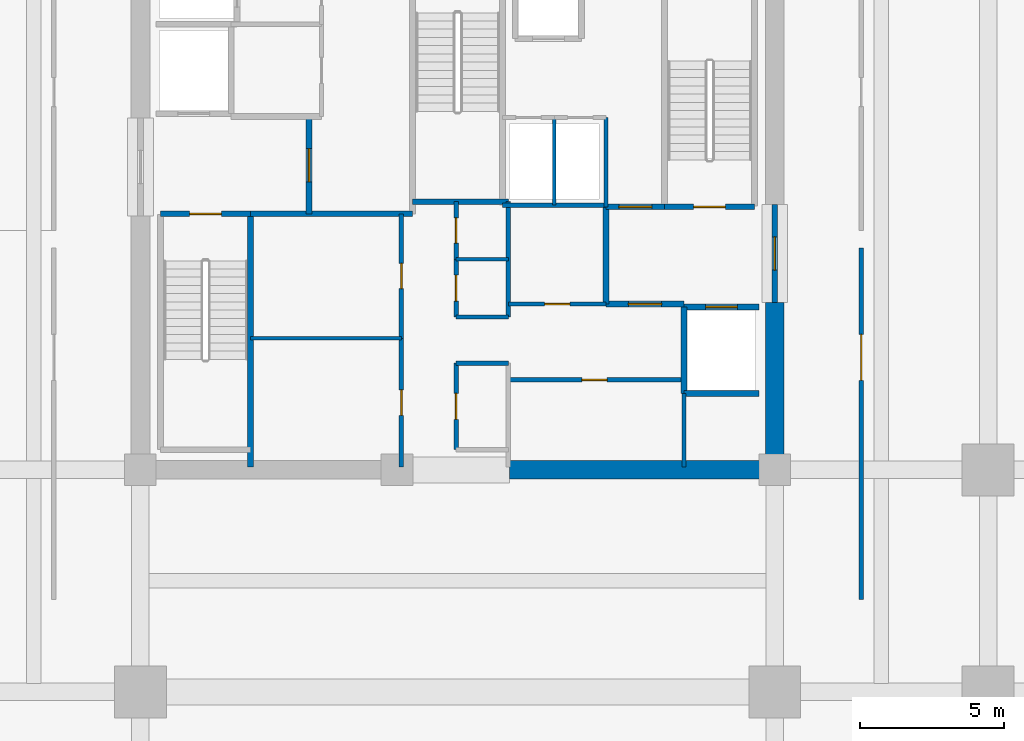
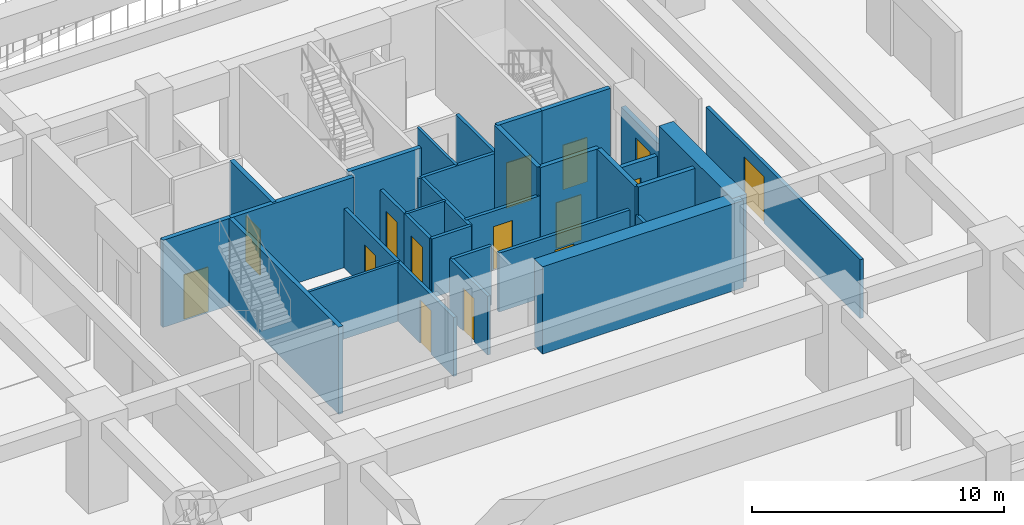
# One storey, part 8 of 16: 32 walls, 15 doors, 15 openings.
"""IFC4 building model written with IfcOpenShell, lengths in metres."""

from ifc_helpers import new_model, si_unit, direction, frame, frame_2d, origin, place, context, subcontext, project, spatial, rectangle, extrude, material, layer, layer_set, type_object, element, fill, save


model = new_model("IFC4")

# Units and contexts
model_context = context("Model", 3, precision=1e-05, world=origin(), true_north=direction((0.0, 1.0)))
body_context = subcontext(model_context, "Body", "Model", "MODEL_VIEW")
ifc_project = project(units=[si_unit("LENGTHUNIT", "METRE"), si_unit("AREAUNIT", "SQUARE_METRE"), si_unit("VOLUMEUNIT", "CUBIC_METRE"), si_unit("PLANEANGLEUNIT", "RADIAN"), si_unit("MASSUNIT", "GRAM", prefix="KILO")], contexts=[model_context])

# Site, building, storey
site_placement = place(None, origin())
site = spatial("IfcSite", under=ifc_project, at=site_placement, CompositionType="ELEMENT")
building_placement = place(site_placement, origin())
building = spatial("IfcBuilding", under=site, at=building_placement, Name="Kovane Verandah Tower", CompositionType="ELEMENT")
storey_placement = place(building_placement, frame((0.0, 0.0, -4.5)))
storey = spatial("IfcBuildingStorey", under=building, at=storey_placement, Name="B1", CompositionType="ELEMENT", Elevation=-4.5)

# Walls
ifc_material_1 = material(Name="Fire-Rated Gypsum Stud Partition", Category="gypsum")
ifc_layer_1 = layer(ifc_material_1, 0.14990234375)
ifc_layer_set_1 = layer_set([ifc_layer_1], Name="Fire-Rated Gypsum Stud Partition")
wall_type_1 = type_object("IfcWallType", Name="WL-COR-150", PredefinedType="PARTITIONING", material=ifc_layer_set_1)
for number, where, z_axis, x_axis, name in (
    (1, (39.949951171875, 22.199951171875, 0.0), (0.0, 0.0, 1.0), (1.0, 0.0, 0.0), "B1 Core Cross-Passage South Wall"),
    (2, (39.949951171875, 23.800048828125, 0.0), (0.0, 0.0, 1.0), (1.0, 0.0, 0.0), "B1 Core Cross-Passage North Wall"),
):
    element("IfcWall", number, at=place(storey_placement, frame(where, z_axis=z_axis, x_axis=x_axis)), inside=storey, type_object=wall_type_1, Name=name, PredefinedType="PARTITIONING", context=body_context, shape_type="SweptSolid", body=[
        extrude(rectangle(XDim=1.81005859375, YDim=0.14990234375, at=frame_2d((0.905029296875, 0.0))), origin(), (0.0, 0.0, 1.0), 2.85009765625),
    ])
wall_1_placement = place(storey_placement, frame((41.760009765625, 23.800048828125, 0.0), z_axis=(0.0, 0.0, 1.0), x_axis=(0.0, 1.0, 0.0)))
element("IfcWall", 3, at=wall_1_placement, inside=storey, type_object=wall_type_1, Name="B1 Central Core Strip Upper East Wall", PredefinedType="PARTITIONING", context=body_context, shape_type="SweptSolid", body=[
    extrude(rectangle(XDim=4.0, YDim=0.14990234375, at=frame_2d((2.0, 0.0))), origin(), (0.0, 0.0, 1.0), 2.85009765625),
])

# Wall, opening, door
wall_2_placement = place(storey_placement, frame((39.949951171875, 19.199951171875, 0.0), z_axis=(0.0, 0.0, 1.0), x_axis=(0.0, 1.0, 0.0)))
wall_2 = element("IfcWall", 4, at=wall_2_placement, inside=storey, type_object=wall_type_1, Name="B1 Male Toilet Partition", PredefinedType="PARTITIONING", context=body_context, shape_type="SweptSolid", body=[
    extrude(rectangle(XDim=3.0, YDim=0.14990234375, at=frame_2d((1.5, 0.0))), origin(), (0.0, 0.0, 1.0), 2.85009765625),
])
opening_1_placement = place(wall_2_placement, frame((1.050048828125, 0.0, 0.0)))
opening_1 = element("IfcOpeningElement", 5, at=opening_1_placement, cuts=wall_2, Name="Opening DR-B1-025", PredefinedType="OPENING", context=body_context, shape_type="SweptSolid", body=[
    extrude(rectangle(XDim=0.89990234375, YDim=2.10009765625, at=frame_2d((0.449951171875, 1.050048828125))), frame((0.0, 0.074951171875, 0.0), z_axis=(0.0, -1.0, 0.0), x_axis=(1.0, 0.0, 0.0)), (0.0, 0.0, 1.0), 0.14990234375),
])
ifc_material_2 = material(Name="Moisture-Resistant Laminate Washroom Door", Category="wood")
door_type_1 = type_object("IfcDoorType", Name="DR-WC-900", OperationType="SINGLE_SWING_LEFT", PredefinedType="DOOR", material=ifc_material_2)
door_1_placement = place(opening_1_placement, origin())
door_1 = element("IfcDoor", 6, at=door_1_placement, inside=storey, type_object=door_type_1, Name="B1 Male Toilet Door", OperationType="SINGLE_SWING_RIGHT", OverallHeight=2.10009765625, OverallWidth=0.89990234375, PredefinedType="DOOR", context=body_context, shape_type="SweptSolid", body=[
    extrude(rectangle(XDim=0.89990234375, YDim=2.10009765625, at=frame_2d((0.449951171875, 1.050048828125))), frame((0.0, 0.02490234375, 0.0), z_axis=(0.0, -1.0, 0.0), x_axis=(1.0, 0.0, 0.0)), (0.0, 0.0, 1.0), 0.050048828125),
])
fill(opening_1, door_1)

wall_3_placement = place(storey_placement, frame((39.949951171875, 23.800048828125, 0.0), z_axis=(0.0, 0.0, 1.0), x_axis=(0.0, 1.0, 0.0)))
wall_3 = element("IfcWall", 7, at=wall_3_placement, inside=storey, type_object=wall_type_1, Name="B1 Female Toilet Partition", PredefinedType="PARTITIONING", context=body_context, shape_type="SweptSolid", body=[
    extrude(rectangle(XDim=2.0, YDim=0.14990234375, at=frame_2d((1.0, 0.0))), origin(), (0.0, 0.0, 1.0), 2.85009765625),
])
opening_2_placement = place(wall_3_placement, frame((0.550048828125, 0.0, 0.0)))
opening_2 = element("IfcOpeningElement", 8, at=opening_2_placement, cuts=wall_3, Name="Opening DR-B1-024", PredefinedType="OPENING", context=body_context, shape_type="SweptSolid", body=[
    extrude(rectangle(XDim=0.89990234375, YDim=2.10009765625, at=frame_2d((0.449951171875, 1.050048828125))), frame((0.0, 0.074951171875, 0.0), z_axis=(0.0, -1.0, 0.0), x_axis=(1.0, 0.0, 0.0)), (0.0, 0.0, 1.0), 0.14990234375),
])
door_2_placement = place(opening_2_placement, origin())
door_2 = element("IfcDoor", 9, at=door_2_placement, inside=storey, type_object=door_type_1, Name="B1 Female Toilet Door", OperationType="SINGLE_SWING_LEFT", OverallHeight=2.10009765625, OverallWidth=0.89990234375, PredefinedType="DOOR", context=body_context, shape_type="SweptSolid", body=[
    extrude(rectangle(XDim=0.89990234375, YDim=2.10009765625, at=frame_2d((0.449951171875, 1.050048828125))), frame((0.0, 0.02490234375, 0.0), z_axis=(0.0, -1.0, 0.0), x_axis=(1.0, 0.0, 0.0)), (0.0, 0.0, 1.0), 0.050048828125),
])
fill(opening_2, door_2)

wall_4_placement = place(storey_placement, frame((39.949951171875, 25.800048828125, 0.0), z_axis=(0.0, 0.0, 1.0), x_axis=(0.0, 1.0, 0.0)))
wall_4 = element("IfcWall", 10, at=wall_4_placement, inside=storey, type_object=wall_type_1, Name="B1 Electrical Riser Room Partition", PredefinedType="PARTITIONING", context=body_context, shape_type="SweptSolid", body=[
    extrude(rectangle(XDim=2.0, YDim=0.14990234375, at=frame_2d((1.0, 0.0))), origin(), (0.0, 0.0, 1.0), 2.85009765625),
])
opening_3_placement = place(wall_4_placement, frame((0.56005859375, 0.0, 0.0)))
opening_3 = element("IfcOpeningElement", 11, at=opening_3_placement, cuts=wall_4, Name="Opening DR-B1-022", PredefinedType="OPENING", context=body_context, shape_type="SweptSolid", body=[
    extrude(rectangle(XDim=0.8798828125, YDim=2.10009765625, at=frame_2d((0.43994140625, 1.050048828125))), frame((0.0, 0.074951171875, 0.0), z_axis=(0.0, -1.0, 0.0), x_axis=(1.0, 0.0, 0.0)), (0.0, 0.0, 1.0), 0.14990234375),
])
ifc_material_3 = material(Name="Fire-Rated Steel Riser Access Door", Category="steel")
door_type_2 = type_object("IfcDoorType", Name="DR-RISER-880", OperationType="SINGLE_SWING_LEFT", PredefinedType="DOOR", material=ifc_material_3)
door_3_placement = place(opening_3_placement, origin())
door_3 = element("IfcDoor", 12, at=door_3_placement, inside=storey, type_object=door_type_2, Name="B1 Electrical Riser Room Door", OperationType="SINGLE_SWING_RIGHT", OverallHeight=2.10009765625, OverallWidth=0.8798828125, PredefinedType="DOOR", context=body_context, shape_type="SweptSolid", body=[
    extrude(rectangle(XDim=0.8798828125, YDim=2.10009765625, at=frame_2d((0.43994140625, 1.050048828125))), frame((0.0, 0.02490234375, 0.0), z_axis=(0.0, -1.0, 0.0), x_axis=(1.0, 0.0, 0.0)), (0.0, 0.0, 1.0), 0.050048828125),
])
fill(opening_3, door_3)

wall_5_placement = place(storey_placement, frame((38.050048828125, 18.60009765625, 0.0), z_axis=(0.0, 0.0, 1.0), x_axis=(0.0, 1.0, 0.0)))
wall_5 = element("IfcWall", 13, at=wall_5_placement, inside=storey, type_object=wall_type_1, Name="B1 Core Mechanical Fan Plant Room Partition", PredefinedType="PARTITIONING", context=body_context, shape_type="SweptSolid", body=[
    extrude(rectangle(XDim=4.4599609375, YDim=0.14990234375, at=frame_2d((2.22998046875, 0.0))), origin(), (0.0, 0.0, 1.0), 2.85009765625),
])
opening_4_placement = place(wall_5_placement, frame((1.7900390625, 0.0, 0.0)))
opening_4 = element("IfcOpeningElement", 14, at=opening_4_placement, cuts=wall_5, Name="Opening DR-B1-013", PredefinedType="OPENING", context=body_context, shape_type="SweptSolid", body=[
    extrude(rectangle(XDim=0.8798828125, YDim=2.10009765625, at=frame_2d((0.43994140625, 1.050048828125))), frame((0.0, 0.074951171875, 0.0), z_axis=(0.0, -1.0, 0.0), x_axis=(1.0, 0.0, 0.0)), (0.0, 0.0, 1.0), 0.14990234375),
])
door_4_placement = place(opening_4_placement, origin())
door_4 = element("IfcDoor", 15, at=door_4_placement, inside=storey, type_object=door_type_2, Name="B1 Core Mechanical Fan Plant Room Door", OperationType="SINGLE_SWING_LEFT", OverallHeight=2.10009765625, OverallWidth=0.8798828125, PredefinedType="DOOR", context=body_context, shape_type="SweptSolid", body=[
    extrude(rectangle(XDim=0.8798828125, YDim=2.10009765625, at=frame_2d((0.43994140625, 1.050048828125))), frame((0.0, 0.02490234375, 0.0), z_axis=(0.0, -1.0, 0.0), x_axis=(1.0, 0.0, 0.0)), (0.0, 0.0, 1.0), 0.050048828125),
])
fill(opening_4, door_4)

wall_6_placement = place(storey_placement, frame((38.050048828125, 23.06005859375, 0.0), z_axis=(0.0, 0.0, 1.0), x_axis=(0.0, 1.0, 0.0)))
wall_6 = element("IfcWall", 16, at=wall_6_placement, inside=storey, type_object=wall_type_1, Name="B1 Core Electrical Switchgear Plant Room Partition", PredefinedType="PARTITIONING", context=body_context, shape_type="SweptSolid", body=[
    extrude(rectangle(XDim=4.31982421875, YDim=0.14990234375, at=frame_2d((2.159912109375, 0.0))), origin(), (0.0, 0.0, 1.0), 2.85009765625),
])
opening_5_placement = place(wall_6_placement, frame((1.719970703125, 0.0, 0.0)))
opening_5 = element("IfcOpeningElement", 17, at=opening_5_placement, cuts=wall_6, Name="Opening DR-B1-014", PredefinedType="OPENING", context=body_context, shape_type="SweptSolid", body=[
    extrude(rectangle(XDim=0.8798828125, YDim=2.10009765625, at=frame_2d((0.43994140625, 1.050048828125))), frame((0.0, 0.074951171875, 0.0), z_axis=(0.0, -1.0, 0.0), x_axis=(1.0, 0.0, 0.0)), (0.0, 0.0, 1.0), 0.14990234375),
])
door_5_placement = place(opening_5_placement, origin())
door_5 = element("IfcDoor", 18, at=door_5_placement, inside=storey, type_object=door_type_2, Name="B1 Core Electrical Switchgear Plant Room Door", OperationType="SINGLE_SWING_RIGHT", OverallHeight=2.10009765625, OverallWidth=0.8798828125, PredefinedType="DOOR", context=body_context, shape_type="SweptSolid", body=[
    extrude(rectangle(XDim=0.8798828125, YDim=2.10009765625, at=frame_2d((0.43994140625, 1.050048828125))), frame((0.0, 0.02490234375, 0.0), z_axis=(0.0, -1.0, 0.0), x_axis=(1.0, 0.0, 0.0)), (0.0, 0.0, 1.0), 0.050048828125),
])
fill(opening_5, door_5)

# Walls
wall_7_placement = place(storey_placement, frame((41.56005859375, 27.679931640625, 0.0), z_axis=(0.0, 0.0, 1.0), x_axis=(1.0, 0.0, 0.0)))
element("IfcWall", 19, at=wall_7_placement, inside=storey, type_object=wall_type_1, Name="B1 East Core Service Riser South Wall", PredefinedType="PARTITIONING", context=body_context, shape_type="SweptSolid", body=[
    extrude(rectangle(XDim=3.58984375, YDim=0.14990234375, at=frame_2d((1.794921875, 0.0))), origin(), (0.0, 0.0, 1.0), 2.85009765625),
])
wall_8_placement = place(storey_placement, frame((47.85009765625, 18.60009765625, 0.0), z_axis=(0.0, 0.0, 1.0), x_axis=(0.0, 1.0, 0.0)))
element("IfcWall", 20, at=wall_8_placement, inside=storey, type_object=wall_type_1, Name="B1 East Core Support East Wall", PredefinedType="PARTITIONING", context=body_context, shape_type="SweptSolid", body=[
    extrude(rectangle(XDim=2.539794921875, YDim=0.14990234375, at=frame_2d((1.27001953125, 0.0))), origin(), (0.0, 0.0, 1.0), 2.85009765625),
])

# Wall, opening, door
wall_9_placement = place(storey_placement, frame((41.760009765625, 21.6201171875, 0.0), z_axis=(0.0, 0.0, 1.0), x_axis=(1.0, 0.0, 0.0)))
wall_9 = element("IfcWall", 21, at=wall_9_placement, inside=storey, type_object=wall_type_1, Name="B1 Core Smoke Extract Fan Plant Room Partition", PredefinedType="PARTITIONING", context=body_context, shape_type="SweptSolid", body=[
    extrude(rectangle(XDim=5.97998046875, YDim=0.14990234375, at=frame_2d((2.989990234375, 0.0))), origin(), (0.0, 0.0, 1.0), 2.85009765625),
])
opening_6_placement = place(wall_9_placement, frame((2.550048828125, 0.0, 0.0)))
opening_6 = element("IfcOpeningElement", 22, at=opening_6_placement, cuts=wall_9, Name="Opening DR-B1-015", PredefinedType="OPENING", context=body_context, shape_type="SweptSolid", body=[
    extrude(rectangle(XDim=0.8798828125, YDim=2.10009765625, at=frame_2d((0.43994140625, 1.050048828125))), frame((0.0, 0.074951171875, 0.0), z_axis=(0.0, -1.0, 0.0), x_axis=(1.0, 0.0, 0.0)), (0.0, 0.0, 1.0), 0.14990234375),
])
door_6_placement = place(opening_6_placement, origin())
door_6 = element("IfcDoor", 23, at=door_6_placement, inside=storey, type_object=door_type_2, Name="B1 Core Smoke Extract Fan Plant Room Door", OperationType="SINGLE_SWING_LEFT", OverallHeight=2.10009765625, OverallWidth=0.8798828125, PredefinedType="DOOR", context=body_context, shape_type="SweptSolid", body=[
    extrude(rectangle(XDim=0.8798828125, YDim=2.10009765625, at=frame_2d((0.43994140625, 1.050048828125))), frame((0.0, 0.02490234375, 0.0), z_axis=(0.0, -1.0, 0.0), x_axis=(1.0, 0.0, 0.0)), (0.0, 0.0, 1.0), 0.050048828125),
])
fill(opening_6, door_6)

wall_10_placement = place(storey_placement, frame((41.760009765625, 24.25, 0.0), z_axis=(0.0, 0.0, 1.0), x_axis=(1.0, 0.0, 0.0)))
wall_10 = element("IfcWall", 24, at=wall_10_placement, inside=storey, type_object=wall_type_1, Name="B1 Cleaner Store Partition", PredefinedType="PARTITIONING", context=body_context, shape_type="SweptSolid", body=[
    extrude(rectangle(XDim=3.389892578125, YDim=0.14990234375, at=frame_2d((1.69482421875, 0.0))), origin(), (0.0, 0.0, 1.0), 2.85009765625),
])
opening_7_placement = place(wall_10_placement, frame((1.2548828125, 0.0, 0.0)))
opening_7 = element("IfcOpeningElement", 25, at=opening_7_placement, cuts=wall_10, Name="Opening DR-B1-016", PredefinedType="OPENING", context=body_context, shape_type="SweptSolid", body=[
    extrude(rectangle(XDim=0.8798828125, YDim=2.10009765625, at=frame_2d((0.43994140625, 1.050048828125))), frame((0.0, 0.074951171875, 0.0), z_axis=(0.0, -1.0, 0.0), x_axis=(1.0, 0.0, 0.0)), (0.0, 0.0, 1.0), 0.14990234375),
])
door_7_placement = place(opening_7_placement, origin())
door_7 = element("IfcDoor", 26, at=door_7_placement, inside=storey, type_object=door_type_2, Name="B1 Cleaner Store Door", OperationType="SINGLE_SWING_RIGHT", OverallHeight=2.10009765625, OverallWidth=0.8798828125, PredefinedType="DOOR", context=body_context, shape_type="SweptSolid", body=[
    extrude(rectangle(XDim=0.8798828125, YDim=2.10009765625, at=frame_2d((0.43994140625, 1.050048828125))), frame((0.0, 0.02490234375, 0.0), z_axis=(0.0, -1.0, 0.0), x_axis=(1.0, 0.0, 0.0)), (0.0, 0.0, 1.0), 0.050048828125),
])
fill(opening_7, door_7)

# Wall
wall_11_placement = place(storey_placement, frame((45.14990234375, 27.6201171875, 0.0), z_axis=(0.0, 0.0, 1.0), x_axis=(0.0, 1.0, 0.0)))
element("IfcWall", 27, at=wall_11_placement, inside=storey, type_object=wall_type_1, Name="B1 East Core Service Riser East Wall", PredefinedType="PARTITIONING", context=body_context, shape_type="SweptSolid", body=[
    extrude(rectangle(XDim=3.099853515625, YDim=0.14990234375, at=frame_2d((1.5498046875, 0.0))), origin(), (0.0, 0.0, 1.0), 2.85009765625),
])

# Wall, opening, door
wall_12_placement = place(storey_placement, frame((54.0, 14.0, 0.0), z_axis=(0.0, 0.0, 1.0), x_axis=(0.0, 1.0, 0.0)))
wall_12 = element("IfcWall", 28, at=wall_12_placement, inside=storey, type_object=wall_type_1, Name="B1 Emergency Generator Plant Room Corridor Partition", PredefinedType="PARTITIONING", context=body_context, shape_type="SweptSolid", body=[
    extrude(rectangle(XDim=12.199951171875, YDim=0.14990234375, at=frame_2d((6.10009765625, 0.0))), origin(), (0.0, 0.0, 1.0), 2.85009765625),
])
opening_8_placement = place(wall_12_placement, frame((7.60009765625, 0.0, 0.0)))
opening_8 = element("IfcOpeningElement", 29, at=opening_8_placement, cuts=wall_12, Name="Opening DR-B1-017", PredefinedType="OPENING", context=body_context, shape_type="SweptSolid", body=[
    extrude(rectangle(XDim=1.60009765625, YDim=2.25, at=frame_2d((0.800048828125, 1.125))), frame((0.0, 0.074951171875, 0.0), z_axis=(0.0, -1.0, 0.0), x_axis=(1.0, 0.0, 0.0)), (0.0, 0.0, 1.0), 0.14990234375),
])
ifc_material_4 = material(Name="Louvred Acoustic Steel Double Plant Door", Category="steel")
door_type_3 = type_object("IfcDoorType", Name="DR-PLANT-1600", OperationType="DOUBLE_DOOR_SINGLE_SWING", PredefinedType="DOOR", material=ifc_material_4)
door_8_placement = place(opening_8_placement, origin())
door_8 = element("IfcDoor", 30, at=door_8_placement, inside=storey, type_object=door_type_3, Name="B1 Emergency Generator Plant Room Entrance Door", OperationType="DOUBLE_DOOR_SINGLE_SWING", OverallHeight=2.25, OverallWidth=1.60009765625, PredefinedType="DOOR", context=body_context, shape_type="SweptSolid", body=[
    extrude(rectangle(XDim=1.60009765625, YDim=2.25, at=frame_2d((0.800048828125, 1.125))), frame((0.0, 0.02490234375, 0.0), z_axis=(0.0, -1.0, 0.0), x_axis=(1.0, 0.0, 0.0)), (0.0, 0.0, 1.0), 0.050048828125),
])
fill(opening_8, door_8)

# Walls
ifc_material_5 = material(Name="Concrete C80/95", Category="concrete")
ifc_layer_2 = layer(ifc_material_5, 0.64990234375)
ifc_layer_set_2 = layer_set([ifc_layer_2], Name="Concrete C80/95")
wall_type_2 = type_object("IfcWallType", Name="WL-CORE-650", PredefinedType="SHEAR", material=ifc_layer_set_2)
wall_13_placement = place(storey_placement, frame((41.800048828125, 18.5, 0.0), z_axis=(0.0, 0.0, 1.0), x_axis=(1.0, 0.0, 0.0)))
element("IfcWall", 31, at=wall_13_placement, inside=storey, type_object=wall_type_2, Name="B1 Core Shear Wall CS-2", PredefinedType="SHEAR", context=body_context, shape_type="SweptSolid", body=[
    extrude(rectangle(XDim=9.199951171875, YDim=0.64990234375, at=frame_2d((4.60009765625, 0.0))), origin(), (0.0, 0.0, 1.0), 4.219970703125),
])
wall_14_placement = place(storey_placement, frame((51.0, 18.5, 0.0), z_axis=(0.0, 0.0, 1.0), x_axis=(0.0, 1.0, 0.0)))
element("IfcWall", 32, at=wall_14_placement, inside=storey, type_object=wall_type_2, Name="B1 Core Shear Wall CE-1", PredefinedType="SHEAR", context=body_context, shape_type="SweptSolid", body=[
    extrude(rectangle(XDim=5.800048828125, YDim=0.64990234375, at=frame_2d((2.89990234375, 0.0))), origin(), (0.0, 0.0, 1.0), 4.219970703125),
])

# Wall, opening, door
ifc_material_6 = material(Name="Concrete C45/55 Fire Wall", Category="concrete")
ifc_layer_3 = layer(ifc_material_6, 0.199951171875)
ifc_layer_set_3 = layer_set([ifc_layer_3], Name="Concrete C45/55 Fire Wall")
wall_type_3 = type_object("IfcWallType", Name="WL-FFL-200", PredefinedType="PARTITIONING", material=ifc_layer_set_3)
wall_15_placement = place(storey_placement, frame((34.85009765625, 27.3798828125, 0.0), z_axis=(0.0, 0.0, 1.0), x_axis=(0.0, 1.0, 0.0)))
wall_15 = element("IfcWall", 33, at=wall_15_placement, inside=storey, type_object=wall_type_3, Name="W-B1-FFLW-E", PredefinedType="PARTITIONING", context=body_context, shape_type="SweptSolid", body=[
    extrude(rectangle(XDim=3.3701171875, YDim=0.199951171875, at=frame_2d((1.68505859375, 0.0))), origin(), (0.0, 0.0, 1.0), 4.219970703125),
])
opening_9_placement = place(wall_15_placement, frame((1.110107421875, 0.0, 0.0)))
opening_9 = element("IfcOpeningElement", 34, at=opening_9_placement, cuts=wall_15, Name="Opening DR-B1-004", PredefinedType="OPENING", context=body_context, shape_type="SweptSolid", body=[
    extrude(rectangle(XDim=1.14990234375, YDim=2.199951171875, at=frame_2d((0.574951171875, 1.10009765625))), frame((0.0, 0.10009765625, 0.0), z_axis=(0.0, -1.0, 0.0), x_axis=(1.0, 0.0, 0.0)), (0.0, 0.0, 1.0), 0.199951171875),
])
ifc_material_7 = material(Name="Smoke-Sealed Firefighting Lobby Door", Category="steel")
door_type_4 = type_object("IfcDoorType", Name="DR-FFL-1150", OperationType="SINGLE_SWING_LEFT", PredefinedType="DOOR", material=ifc_material_7)
door_9_placement = place(opening_9_placement, origin())
door_9 = element("IfcDoor", 35, at=door_9_placement, inside=storey, type_object=door_type_4, Name="B1 West Firefighting Lobby Inner Door", OperationType="SINGLE_SWING_LEFT", OverallHeight=2.199951171875, OverallWidth=1.14990234375, PredefinedType="DOOR", context=body_context, shape_type="SweptSolid", body=[
    extrude(rectangle(XDim=1.14990234375, YDim=2.199951171875, at=frame_2d((0.574951171875, 1.10009765625))), frame((0.0, 0.02490234375, 0.0), z_axis=(0.0, -1.0, 0.0), x_axis=(1.0, 0.0, 0.0)), (0.0, 0.0, 1.0), 0.050048828125),
])
fill(opening_9, door_9)

# Walls
wall_16_placement = place(storey_placement, frame((32.820068359375, 27.3798828125, 0.0), z_axis=(0.0, 0.0, 1.0), x_axis=(1.0, 0.0, 0.0)))
element("IfcWall", 36, at=wall_16_placement, inside=storey, type_object=wall_type_3, Name="B1 West Firefighting Lobby South Fire Wall", PredefinedType="PARTITIONING", context=body_context, shape_type="SweptSolid", body=[
    extrude(rectangle(XDim=5.619873046875, YDim=0.199951171875, at=frame_2d((2.81005859375, 0.0))), origin(), (0.0, 0.0, 1.0), 4.219970703125),
])
wall_17_placement = place(storey_placement, frame((45.14990234375, 24.25, 0.0), z_axis=(0.0, 0.0, 1.0), x_axis=(0.0, 1.0, 0.0)))
element("IfcWall", 37, at=wall_17_placement, inside=storey, type_object=wall_type_3, Name="B1 East Firefighting Lobby West Fire Wall", PredefinedType="PARTITIONING", context=body_context, shape_type="SweptSolid", body=[
    extrude(rectangle(XDim=3.3701171875, YDim=0.199951171875, at=frame_2d((1.68505859375, 0.0))), origin(), (0.0, 0.0, 1.0), 4.219970703125),
])

# Wall, opening, door
wall_18_placement = place(storey_placement, frame((45.14990234375, 24.25, 0.0), z_axis=(0.0, 0.0, 1.0), x_axis=(1.0, 0.0, 0.0)))
wall_18 = element("IfcWall", 38, at=wall_18_placement, inside=storey, type_object=wall_type_3, Name="W-B1-FFLE-S", PredefinedType="PARTITIONING", context=body_context, shape_type="SweptSolid", body=[
    extrude(rectangle(XDim=2.7001953125, YDim=0.199951171875, at=frame_2d((1.35009765625, 0.0))), origin(), (0.0, 0.0, 1.0), 4.219970703125),
])
opening_10_placement = place(wall_18_placement, frame((0.77490234375, 0.0, 0.0)))
opening_10 = element("IfcOpeningElement", 39, at=opening_10_placement, cuts=wall_18, Name="Opening DR-B1-001", PredefinedType="OPENING", context=body_context, shape_type="SweptSolid", body=[
    extrude(rectangle(XDim=1.14990234375, YDim=2.199951171875, at=frame_2d((0.574951171875, 1.10009765625))), frame((0.0, 0.10009765625, 0.0), z_axis=(0.0, -1.0, 0.0), x_axis=(1.0, 0.0, 0.0)), (0.0, 0.0, 1.0), 0.199951171875),
])
door_10_placement = place(opening_10_placement, origin())
door_10 = element("IfcDoor", 40, at=door_10_placement, inside=storey, type_object=door_type_4, Name="B1 East Firefighting Lobby Inner Door", OperationType="SINGLE_SWING_RIGHT", OverallHeight=2.199951171875, OverallWidth=1.14990234375, PredefinedType="DOOR", context=body_context, shape_type="SweptSolid", body=[
    extrude(rectangle(XDim=1.14990234375, YDim=2.199951171875, at=frame_2d((0.574951171875, 1.10009765625))), frame((0.0, 0.02490234375, 0.0), z_axis=(0.0, -1.0, 0.0), x_axis=(1.0, 0.0, 0.0)), (0.0, 0.0, 1.0), 0.050048828125),
])
fill(opening_10, door_10)

wall_19_placement = place(storey_placement, frame((45.14990234375, 27.6201171875, 0.0), z_axis=(0.0, 0.0, 1.0), x_axis=(1.0, 0.0, 0.0)))
wall_19 = element("IfcWall", 41, at=wall_19_placement, inside=storey, type_object=wall_type_3, Name="W-B1-FFLE-N", PredefinedType="PARTITIONING", context=body_context, shape_type="SweptSolid", body=[
    extrude(rectangle(XDim=2.030029296875, YDim=0.199951171875, at=frame_2d((1.01513671875, 0.0))), origin(), (0.0, 0.0, 1.0), 4.219970703125),
])
opening_11_placement = place(wall_19_placement, frame((0.43994140625, 0.0, 0.0)))
opening_11 = element("IfcOpeningElement", 42, at=opening_11_placement, cuts=wall_19, Name="Opening DR-B1-002", PredefinedType="OPENING", context=body_context, shape_type="SweptSolid", body=[
    extrude(rectangle(XDim=1.14990234375, YDim=2.199951171875, at=frame_2d((0.574951171875, 1.10009765625))), frame((0.0, 0.10009765625, 0.0), z_axis=(0.0, -1.0, 0.0), x_axis=(1.0, 0.0, 0.0)), (0.0, 0.0, 1.0), 0.199951171875),
])
door_11_placement = place(opening_11_placement, origin())
door_11 = element("IfcDoor", 43, at=door_11_placement, inside=storey, type_object=door_type_4, Name="B1 East Firefighting Lobby Shuttle Link Door", OperationType="SINGLE_SWING_LEFT", OverallHeight=2.199951171875, OverallWidth=1.14990234375, PredefinedType="DOOR", context=body_context, shape_type="SweptSolid", body=[
    extrude(rectangle(XDim=1.14990234375, YDim=2.199951171875, at=frame_2d((0.574951171875, 1.10009765625))), frame((0.0, 0.02490234375, 0.0), z_axis=(0.0, -1.0, 0.0), x_axis=(1.0, 0.0, 0.0)), (0.0, 0.0, 1.0), 0.050048828125),
])
fill(opening_11, door_11)

wall_20_placement = place(storey_placement, frame((51.0, 24.300048828125, 0.0), z_axis=(0.0, 0.0, 1.0), x_axis=(0.0, 1.0, 0.0)))
wall_20 = element("IfcWall", 44, at=wall_20_placement, inside=storey, type_object=wall_type_3, Name="W-B1-FFLE-OUT", PredefinedType="PARTITIONING", context=body_context, shape_type="SweptSolid", body=[
    extrude(rectangle(XDim=3.39990234375, YDim=0.199951171875, at=frame_2d((1.699951171875, 0.0))), origin(), (0.0, 0.0, 1.0), 3.0),
])
opening_12_placement = place(wall_20_placement, frame((1.125, 0.0, 0.0)))
opening_12 = element("IfcOpeningElement", 45, at=opening_12_placement, cuts=wall_20, Name="Opening DR-B1-003", PredefinedType="OPENING", context=body_context, shape_type="SweptSolid", body=[
    extrude(rectangle(XDim=1.14990234375, YDim=2.199951171875, at=frame_2d((0.574951171875, 1.10009765625))), frame((0.0, 0.10009765625, 0.0), z_axis=(0.0, -1.0, 0.0), x_axis=(1.0, 0.0, 0.0)), (0.0, 0.0, 1.0), 0.199951171875),
])
door_12_placement = place(opening_12_placement, origin())
door_12 = element("IfcDoor", 46, at=door_12_placement, inside=storey, type_object=door_type_4, Name="B1 East Firefighting Lobby Corridor Door", OperationType="SINGLE_SWING_LEFT", OverallHeight=2.199951171875, OverallWidth=1.14990234375, PredefinedType="DOOR", context=body_context, shape_type="SweptSolid", body=[
    extrude(rectangle(XDim=1.14990234375, YDim=2.199951171875, at=frame_2d((0.574951171875, 1.10009765625))), frame((0.0, 0.02490234375, 0.0), z_axis=(0.0, -1.0, 0.0), x_axis=(1.0, 0.0, 0.0)), (0.0, 0.0, 1.0), 0.050048828125),
])
fill(opening_12, door_12)

# Wall
ifc_material_8 = material(Name="Concrete C45/55 Lift Shaft Wall", Category="concrete")
ifc_layer_4 = layer(ifc_material_8, 0.199951171875)
ifc_layer_set_4 = layer_set([ifc_layer_4], Name="Concrete C45/55 Lift Shaft Wall")
wall_type_4 = type_object("IfcWallType", Name="WL-LIFT-200", PredefinedType="SOLIDWALL", material=ifc_layer_set_4)
wall_21_placement = place(storey_placement, frame((47.85009765625, 21.14990234375, 0.0), z_axis=(0.0, 0.0, 1.0), x_axis=(1.0, 0.0, 0.0)))
element("IfcWall", 47, at=wall_21_placement, inside=storey, type_object=wall_type_4, Name="B1 Lift FL-02 S Shaft Wall", PredefinedType="SOLIDWALL", context=body_context, shape_type="SweptSolid", body=[
    extrude(rectangle(XDim=2.599853515625, YDim=0.199951171875, at=frame_2d((1.2998046875, 0.0))), origin(), (0.0, 0.0, 1.0), 4.219970703125),
])

# Wall, opening, door
wall_22_placement = place(storey_placement, frame((50.449951171875, 24.14990234375, 0.0), z_axis=(0.0, 0.0, 1.0), x_axis=(-1.0, 0.0, 0.0)))
wall_22 = element("IfcWall", 48, at=wall_22_placement, inside=storey, type_object=wall_type_4, Name="B1 Lift FL-02 N Shaft Wall", PredefinedType="SOLIDWALL", context=body_context, shape_type="SweptSolid", body=[
    extrude(rectangle(XDim=2.599853515625, YDim=0.199951171875, at=frame_2d((1.2998046875, 0.0))), origin(), (0.0, 0.0, 1.0), 3.0),
])
opening_13_placement = place(wall_22_placement, frame((0.75, 0.0, 0.0)))
opening_13 = element("IfcOpeningElement", 49, at=opening_13_placement, cuts=wall_22, Name="Opening LD-B1-002", PredefinedType="OPENING", context=body_context, shape_type="SweptSolid", body=[
    extrude(rectangle(XDim=1.10009765625, YDim=2.199951171875, at=frame_2d((0.550048828125, 1.10009765625))), frame((0.0, 0.10009765625, 0.0), z_axis=(0.0, -1.0, 0.0), x_axis=(1.0, 0.0, 0.0)), (0.0, 0.0, 1.0), 0.199951171875),
])
ifc_material_9 = material(Name="Brushed Stainless Steel Sliding Lift Landing Door", Category="steel")
door_type_5 = type_object("IfcDoorType", Name="DR-LIFT-1100", OperationType="SLIDING_TO_RIGHT", PredefinedType="DOOR", material=ifc_material_9)
door_13_placement = place(opening_13_placement, origin())
door_13 = element("IfcDoor", 50, at=door_13_placement, inside=storey, type_object=door_type_5, Name="B1 Lift FL-02 Sliding Landing Door", OperationType="SLIDING_TO_RIGHT", OverallHeight=2.199951171875, OverallWidth=1.10009765625, PredefinedType="DOOR", context=body_context, shape_type="SweptSolid", body=[
    extrude(rectangle(XDim=1.10009765625, YDim=2.199951171875, at=frame_2d((0.550048828125, 1.10009765625))), frame((0.0, 0.02490234375, 0.0), z_axis=(0.0, -1.0, 0.0), x_axis=(1.0, 0.0, 0.0)), (0.0, 0.0, 1.0), 0.050048828125),
])
fill(opening_13, door_13)

# Walls
wall_23_placement = place(storey_placement, frame((47.85009765625, 24.14990234375, 0.0), z_axis=(0.0, 0.0, 1.0), x_axis=(0.0, -1.0, 0.0)))
element("IfcWall", 51, at=wall_23_placement, inside=storey, type_object=wall_type_4, Name="B1 Lift FL-02 W Shaft Wall", PredefinedType="SOLIDWALL", context=body_context, shape_type="SweptSolid", body=[
    extrude(rectangle(XDim=3.0, YDim=0.199951171875, at=frame_2d((1.5, 0.0))), origin(), (0.0, 0.0, 1.0), 4.219970703125),
])
ifc_material_10 = material(Name="Acoustic Fire-Rated Gypsum Partition", Category="gypsum")
ifc_layer_5 = layer(ifc_material_10, 0.1201171875)
ifc_layer_set_5 = layer_set([ifc_layer_5], Name="Acoustic Fire-Rated Gypsum Partition")
wall_type_5 = type_object("IfcWallType", Name="WL-PART-120", PredefinedType="PARTITIONING", material=ifc_layer_set_5)
wall_24_placement = place(storey_placement, frame((39.949951171875, 25.800048828125, 0.0), z_axis=(0.0, 0.0, 1.0), x_axis=(1.0, 0.0, 0.0)))
element("IfcWall", 52, at=wall_24_placement, inside=storey, type_object=wall_type_5, Name="B1 Central Core Strip Upper Dividing Partition", PredefinedType="PARTITIONING", context=body_context, shape_type="SweptSolid", body=[
    extrude(rectangle(XDim=1.81005859375, YDim=0.1201171875, at=frame_2d((0.905029296875, 0.0))), origin(), (0.0, 0.0, 1.0), 2.85009765625),
])
wall_25_placement = place(storey_placement, frame((32.820068359375, 23.06005859375, 0.0), z_axis=(0.0, 0.0, 1.0), x_axis=(1.0, 0.0, 0.0)))
element("IfcWall", 53, at=wall_25_placement, inside=storey, type_object=wall_type_5, Name="B1 Core Support Dividing Partition", PredefinedType="PARTITIONING", context=body_context, shape_type="SweptSolid", body=[
    extrude(rectangle(XDim=5.22998046875, YDim=0.1201171875, at=frame_2d((2.614990234375, 0.0))), origin(), (0.0, 0.0, 1.0), 2.85009765625),
])
wall_26_placement = place(storey_placement, frame((43.360107421875, 27.679931640625, 0.0), z_axis=(0.0, 0.0, 1.0), x_axis=(0.0, 1.0, 0.0)))
element("IfcWall", 54, at=wall_26_placement, inside=storey, type_object=wall_type_5, Name="B1 Service Riser Dividing Partition", PredefinedType="PARTITIONING", context=body_context, shape_type="SweptSolid", body=[
    extrude(rectangle(XDim=3.0400390625, YDim=0.1201171875, at=frame_2d((1.52001953125, 0.0))), origin(), (0.0, 0.0, 1.0), 2.85009765625),
])
ifc_material_11 = material(Name="Concrete C45/55", Category="concrete")
ifc_layer_6 = layer(ifc_material_11, 0.199951171875)
ifc_layer_set_6 = layer_set([ifc_layer_6], Name="Concrete C45/55")
wall_type_6 = type_object("IfcWallType", Name="WL-SHAFT-200", PredefinedType="SOLIDWALL", material=ifc_layer_set_6)
wall_27_placement = place(storey_placement, frame((32.820068359375, 18.60009765625, 0.0), z_axis=(0.0, 0.0, 1.0), x_axis=(0.0, 1.0, 0.0)))
element("IfcWall", 55, at=wall_27_placement, inside=storey, type_object=wall_type_6, Name="W-B1-ST01-E", PredefinedType="SOLIDWALL", context=body_context, shape_type="SweptSolid", body=[
    extrude(rectangle(XDim=8.77978515625, YDim=0.199951171875, at=frame_2d((4.389892578125, 0.0))), origin(), (0.0, 0.0, 1.0), 4.219970703125),
])

# Wall, opening, door
wall_28_placement = place(storey_placement, frame((29.699951171875, 27.3798828125, 0.0), z_axis=(0.0, 0.0, 1.0), x_axis=(1.0, 0.0, 0.0)))
wall_28 = element("IfcWall", 56, at=wall_28_placement, inside=storey, type_object=wall_type_6, Name="W-B1-ST01-N", PredefinedType="SOLIDWALL", context=body_context, shape_type="SweptSolid", body=[
    extrude(rectangle(XDim=3.1201171875, YDim=0.199951171875, at=frame_2d((1.56005859375, 0.0))), origin(), (0.0, 0.0, 1.0), 4.219970703125),
])
opening_14_placement = place(wall_28_placement, frame((1.010009765625, 0.0, 0.0)))
opening_14 = element("IfcOpeningElement", 57, at=opening_14_placement, cuts=wall_28, Name="Opening DR-B1-007", PredefinedType="OPENING", context=body_context, shape_type="SweptSolid", body=[
    extrude(rectangle(XDim=1.10009765625, YDim=2.14990234375, at=frame_2d((0.550048828125, 1.074951171875))), frame((0.0, 0.10009765625, 0.0), z_axis=(0.0, -1.0, 0.0), x_axis=(1.0, 0.0, 0.0)), (0.0, 0.0, 1.0), 0.199951171875),
])
ifc_material_12 = material(Name="Fire-Rated Steel Exit Door", Category="steel")
door_type_6 = type_object("IfcDoorType", Name="DR-STAIR-1100", OperationType="SINGLE_SWING_LEFT", PredefinedType="DOOR", material=ifc_material_12)
door_14_placement = place(opening_14_placement, origin())
door_14 = element("IfcDoor", 58, at=door_14_placement, inside=storey, type_object=door_type_6, Name="B1 ST-01 Fire Exit Stair Door", OperationType="SINGLE_SWING_LEFT", OverallHeight=2.14990234375, OverallWidth=1.10009765625, PredefinedType="DOOR", context=body_context, shape_type="SweptSolid", body=[
    extrude(rectangle(XDim=1.10009765625, YDim=2.14990234375, at=frame_2d((0.550048828125, 1.074951171875))), frame((0.0, 0.02490234375, 0.0), z_axis=(0.0, -1.0, 0.0), x_axis=(1.0, 0.0, 0.0)), (0.0, 0.0, 1.0), 0.050048828125),
])
fill(opening_14, door_14)

wall_29_placement = place(storey_placement, frame((47.179931640625, 27.6201171875, 0.0), z_axis=(0.0, 0.0, 1.0), x_axis=(1.0, 0.0, 0.0)))
wall_29 = element("IfcWall", 59, at=wall_29_placement, inside=storey, type_object=wall_type_6, Name="W-B1-ST02-S", PredefinedType="SOLIDWALL", context=body_context, shape_type="SweptSolid", body=[
    extrude(rectangle(XDim=3.1201171875, YDim=0.199951171875, at=frame_2d((1.56005859375, 0.0))), origin(), (0.0, 0.0, 1.0), 4.219970703125),
])
opening_15_placement = place(wall_29_placement, frame((1.010009765625, 0.0, 0.0)))
opening_15 = element("IfcOpeningElement", 60, at=opening_15_placement, cuts=wall_29, Name="Opening DR-B1-008", PredefinedType="OPENING", context=body_context, shape_type="SweptSolid", body=[
    extrude(rectangle(XDim=1.10009765625, YDim=2.14990234375, at=frame_2d((0.550048828125, 1.074951171875))), frame((0.0, 0.10009765625, 0.0), z_axis=(0.0, -1.0, 0.0), x_axis=(1.0, 0.0, 0.0)), (0.0, 0.0, 1.0), 0.199951171875),
])
door_15_placement = place(opening_15_placement, origin())
door_15 = element("IfcDoor", 61, at=door_15_placement, inside=storey, type_object=door_type_6, Name="B1 ST-02 Fire Exit Stair Door", OperationType="SINGLE_SWING_RIGHT", OverallHeight=2.14990234375, OverallWidth=1.10009765625, PredefinedType="DOOR", context=body_context, shape_type="SweptSolid", body=[
    extrude(rectangle(XDim=1.10009765625, YDim=2.14990234375, at=frame_2d((0.550048828125, 1.074951171875))), frame((0.0, 0.02490234375, 0.0), z_axis=(0.0, -1.0, 0.0), x_axis=(1.0, 0.0, 0.0)), (0.0, 0.0, 1.0), 0.050048828125),
])
fill(opening_15, door_15)

# Wall
wall_30_placement = place(storey_placement, frame((38.43994140625, 27.800048828125, 0.0), z_axis=(0.0, 0.0, 1.0), x_axis=(1.0, 0.0, 0.0)))
element("IfcWall", 62, at=wall_30_placement, inside=storey, type_object=wall_type_6, Name="W-B1-ST03-S", PredefinedType="SOLIDWALL", context=body_context, shape_type="SweptSolid", body=[
    extrude(rectangle(XDim=3.320068359375, YDim=0.199951171875, at=frame_2d((1.66015625, 0.0))), origin(), (0.0, 0.0, 1.0), 4.219970703125),
])

save(model, "model.ifc")
